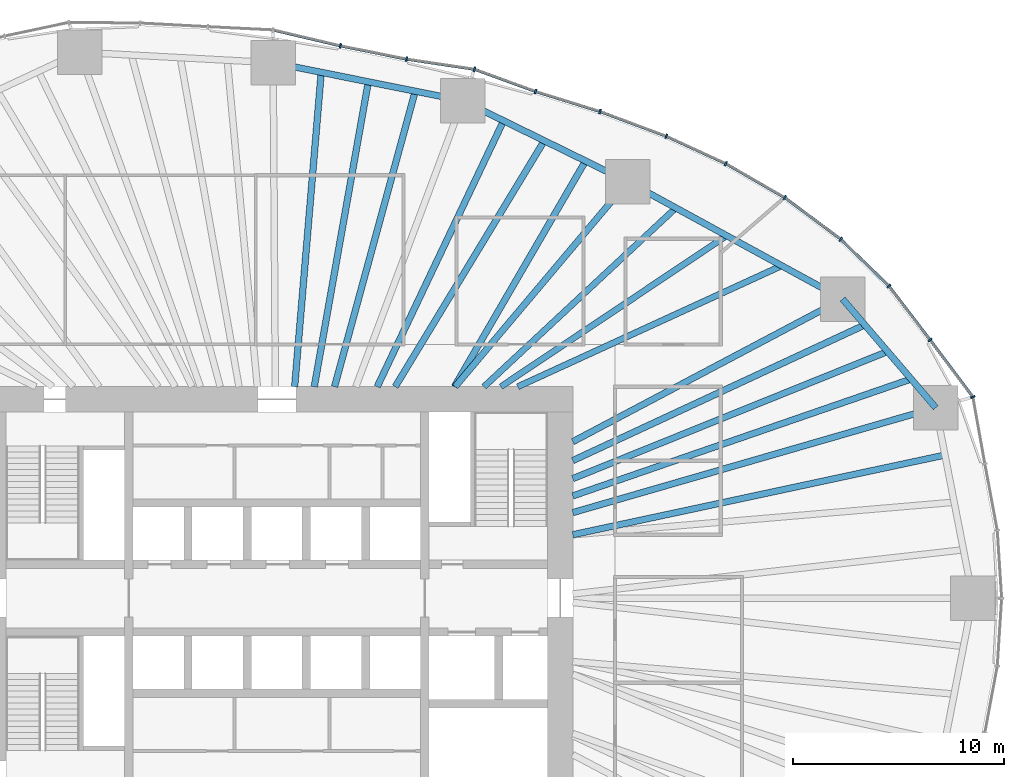
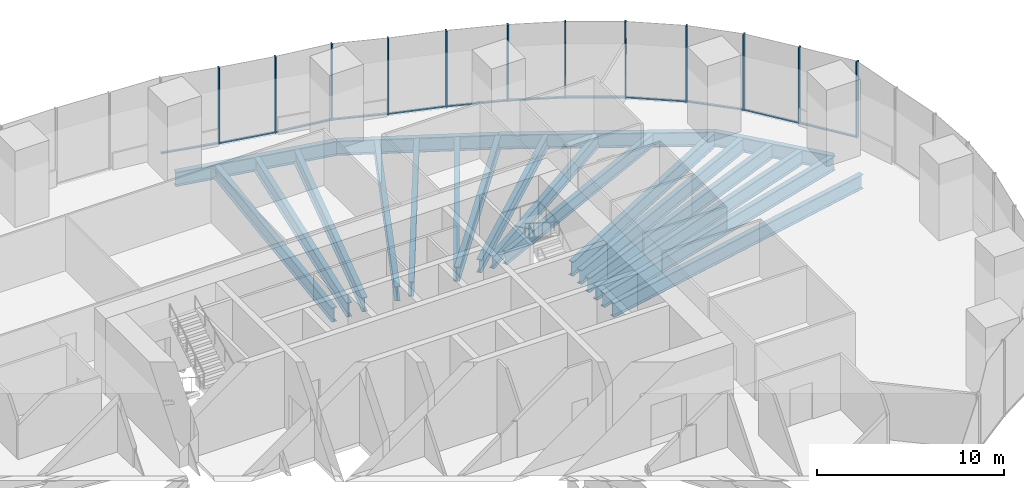
# One storey, part 6 of 20: 24 members, 20 beams, 4 elements without a shape of their own.
"""IFC4 building model written with IfcOpenShell, lengths in metres."""

from ifc_helpers import new_model, si_unit, direction, frame, origin, origin_2d, place, context, subcontext, project, spatial, rectangle, i_section, extrude, material, material_profile, profile_set, type_object, element, aggregate, save


model = new_model("IFC4")

# Units and contexts
model_context = context("Model", 3, precision=1e-05, world=origin(), true_north=direction((0.0, 1.0)))
body_context = subcontext(model_context, "Body", "Model", "MODEL_VIEW")
ifc_project = project(units=[si_unit("LENGTHUNIT", "METRE"), si_unit("AREAUNIT", "SQUARE_METRE"), si_unit("VOLUMEUNIT", "CUBIC_METRE"), si_unit("PLANEANGLEUNIT", "RADIAN"), si_unit("MASSUNIT", "GRAM", prefix="KILO")], contexts=[model_context])

# Site, building, storey
site_placement = place(None, origin())
site = spatial("IfcSite", under=ifc_project, at=site_placement, CompositionType="ELEMENT")
building_placement = place(site_placement, origin())
building = spatial("IfcBuilding", under=site, at=building_placement, Name="Ghaith Harvest Tower", CompositionType="ELEMENT")
storey_placement = place(building_placement, frame((0.0, 0.0, 25.0)))
storey = spatial("IfcBuildingStorey", under=building, at=storey_placement, Name="L05", CompositionType="ELEMENT", Elevation=25.0)

# Curtain wall, members
ifc_material_1 = material(Name="Black anodised aluminium and fritted glass", Category="aluminium")
curtain_wall_type = type_object("IfcCurtainWallType", Name="CW-F CURTAIN WALL", PredefinedType="NOTDEFINED", material=ifc_material_1)
curtain_wall_1_placement = place(storey_placement, origin())
curtain_wall_1 = element("IfcCurtainWall", 1, at=curtain_wall_1_placement, inside=storey, type_object=curtain_wall_type, Name="Curtain wall CW-F bay 02 L05", PredefinedType="NOTDEFINED")
ifc_material_2 = material(Name="Aluminium, black anodised", Category="aluminium")
ifc_material_profile_1 = material_profile(ifc_material_2, rectangle(XDim=0.080078125, YDim=0.219970703125, at=origin_2d()), Name="CW-F MULLION 80x220")
ifc_profile_set_1 = profile_set([ifc_material_profile_1], Name="Aluminium, black anodised")
member_type_1 = type_object("IfcMemberType", Name="CW-F MULLION 80x220", PredefinedType="MULLION", material=ifc_profile_set_1)
member_1_placement = place(storey_placement, frame((32.923583984375, 9.515625, 0.0), z_axis=(0.0, 0.0, 1.0), x_axis=(-0.404701693729, 0.914448762421, 0.0)))
member_1 = element("IfcMember", 2, at=member_1_placement, type_object=member_type_1, Name="CW-F mullion 1 bay 02 L05", PredefinedType="MULLION", context=body_context, shape_type="SweptSolid", body=[
    extrude(rectangle(XDim=0.080078125, YDim=0.219970703125, at=origin_2d()), origin(), (0.0, 0.0, 1.0), 5.0),
])
member_2_placement = place(storey_placement, frame((30.896728515625, 12.215087890625, 0.0), z_axis=(0.0, 0.0, 1.0), x_axis=(-0.603948315345, 0.797023482961, 0.0)))
member_2 = element("IfcMember", 3, at=member_2_placement, type_object=member_type_1, Name="CW-F mullion 2 bay 02 L05", PredefinedType="MULLION", context=body_context, shape_type="SweptSolid", body=[
    extrude(rectangle(XDim=0.080078125, YDim=0.219970703125, at=origin_2d()), origin(), (0.0, 0.0, 1.0), 5.0),
])
member_3_placement = place(storey_placement, frame((28.947021484375, 14.763427734375, 0.0), z_axis=(0.0, 0.0, 1.0), x_axis=(-0.663604797296, 0.748083332929, 0.0)))
member_3 = element("IfcMember", 4, at=member_3_placement, type_object=member_type_1, Name="CW-F mullion 3 bay 02 L05", PredefinedType="MULLION", context=body_context, shape_type="SweptSolid", body=[
    extrude(rectangle(XDim=0.080078125, YDim=0.219970703125, at=origin_2d()), origin(), (0.0, 0.0, 1.0), 5.0),
])

curtain_wall_2_placement = place(storey_placement, origin())
curtain_wall_2 = element("IfcCurtainWall", 5, at=curtain_wall_2_placement, inside=storey, type_object=curtain_wall_type, Name="Curtain wall CW-F bay 03 L05", PredefinedType="NOTDEFINED")
member_4_placement = place(storey_placement, frame((26.673828125, 16.9755859375, 0.0), z_axis=(0.0, 0.0, 1.0), x_axis=(-0.762365981091, 0.647146127915, 0.0)))
member_4 = element("IfcMember", 6, at=member_4_placement, type_object=member_type_1, Name="CW-F mullion 1 bay 03 L05", PredefinedType="MULLION", context=body_context, shape_type="SweptSolid", body=[
    extrude(rectangle(XDim=0.080078125, YDim=0.219970703125, at=origin_2d()), origin(), (0.0, 0.0, 1.0), 5.0),
])
member_5_placement = place(storey_placement, frame((24.018310546875, 18.947265625, 0.0), z_axis=(0.0, 0.0, 1.0), x_axis=(-0.835443516723, 0.549576318963, 0.0)))
member_5 = element("IfcMember", 7, at=member_5_placement, type_object=member_type_1, Name="CW-F mullion 2 bay 03 L05", PredefinedType="MULLION", context=body_context, shape_type="SweptSolid", body=[
    extrude(rectangle(XDim=0.080078125, YDim=0.219970703125, at=origin_2d()), origin(), (0.0, 0.0, 1.0), 5.0),
])
member_6_placement = place(storey_placement, frame((21.2353515625, 20.552978515625, 0.0), z_axis=(0.0, 0.0, 1.0), x_axis=(-0.887896671642, 0.460042933308, 0.0)))
member_6 = element("IfcMember", 8, at=member_6_placement, type_object=member_type_1, Name="CW-F mullion 3 bay 03 L05", PredefinedType="MULLION", context=body_context, shape_type="SweptSolid", body=[
    extrude(rectangle(XDim=0.080078125, YDim=0.219970703125, at=origin_2d()), origin(), (0.0, 0.0, 1.0), 5.0),
])

curtain_wall_3_placement = place(storey_placement, origin())
curtain_wall_3 = element("IfcCurtainWall", 9, at=curtain_wall_3_placement, inside=storey, type_object=curtain_wall_type, Name="Curtain wall CW-F bay 04 L05", PredefinedType="NOTDEFINED")
member_7_placement = place(storey_placement, frame((18.422607421875, 21.8466796875, 0.0), z_axis=(0.0, 0.0, 1.0), x_axis=(-0.923910199252, 0.382609387912, 0.0)))
member_7 = element("IfcMember", 10, at=member_7_placement, type_object=member_type_1, Name="CW-F mullion 1 bay 04 L05", PredefinedType="MULLION", context=body_context, shape_type="SweptSolid", body=[
    extrude(rectangle(XDim=0.080078125, YDim=0.219970703125, at=origin_2d()), origin(), (0.0, 0.0, 1.0), 5.0),
])
member_8_placement = place(storey_placement, frame((15.28759765625, 23.01611328125, 0.0), z_axis=(0.0, 0.0, 1.0), x_axis=(-0.946121020954, 0.323813238933, 0.0)))
member_8 = element("IfcMember", 11, at=member_8_placement, type_object=member_type_1, Name="CW-F mullion 2 bay 04 L05", PredefinedType="MULLION", context=body_context, shape_type="SweptSolid", body=[
    extrude(rectangle(XDim=0.080078125, YDim=0.219970703125, at=origin_2d()), origin(), (0.0, 0.0, 1.0), 5.0),
])
member_9_placement = place(storey_placement, frame((12.234375, 23.964599609375, 0.0), z_axis=(0.0, 0.0, 1.0), x_axis=(-0.947653438436, 0.319300736957, 0.0)))
member_9 = element("IfcMember", 12, at=member_9_placement, type_object=member_type_1, Name="CW-F mullion 3 bay 04 L05", PredefinedType="MULLION", context=body_context, shape_type="SweptSolid", body=[
    extrude(rectangle(XDim=0.080078125, YDim=0.219970703125, at=origin_2d()), origin(), (0.0, 0.0, 1.0), 5.0),
])

curtain_wall_4_placement = place(storey_placement, origin())
curtain_wall_4 = element("IfcCurtainWall", 13, at=curtain_wall_4_placement, inside=storey, type_object=curtain_wall_type, Name="Curtain wall CW-F bay 05 L05", PredefinedType="NOTDEFINED")
member_10_placement = place(storey_placement, frame((9.351806640625, 25.01611328125, 0.0), z_axis=(0.0, 0.0, 1.0), x_axis=(-0.969903429236, 0.243489913461, 0.0)))
member_10 = element("IfcMember", 14, at=member_10_placement, type_object=member_type_1, Name="CW-F mullion 1 bay 05 L05", PredefinedType="MULLION", context=body_context, shape_type="SweptSolid", body=[
    extrude(rectangle(XDim=0.080078125, YDim=0.219970703125, at=origin_2d()), origin(), (0.0, 0.0, 1.0), 5.0),
])
member_11_placement = place(storey_placement, frame((6.136962890625, 25.495361328125, 0.0), z_axis=(0.0, 0.0, 1.0), x_axis=(-0.985103843977, 0.171960508788, 0.0)))
member_11 = element("IfcMember", 15, at=member_11_placement, type_object=member_type_1, Name="CW-F mullion 2 bay 05 L05", PredefinedType="MULLION", context=body_context, shape_type="SweptSolid", body=[
    extrude(rectangle(XDim=0.080078125, YDim=0.219970703125, at=origin_2d()), origin(), (0.0, 0.0, 1.0), 5.0),
])
member_12_placement = place(storey_placement, frame((3.00927734375, 26.123291015625, 0.0), z_axis=(0.0, 0.0, 1.0), x_axis=(-0.976927332869, 0.213571969822, 0.0)))
member_12 = element("IfcMember", 16, at=member_12_placement, type_object=member_type_1, Name="CW-F mullion 3 bay 05 L05", PredefinedType="MULLION", context=body_context, shape_type="SweptSolid", body=[
    extrude(rectangle(XDim=0.080078125, YDim=0.219970703125, at=origin_2d()), origin(), (0.0, 0.0, 1.0), 5.0),
])

# Member
ifc_material_3 = material(Name="Aluminium, black anodised", Category="aluminium")
ifc_material_profile_2 = material_profile(ifc_material_3, rectangle(XDim=0.139892578125, YDim=0.080078125, at=origin_2d()), Name="CW-F TRANSOM 140x80")
ifc_profile_set_2 = profile_set([ifc_material_profile_2], Name="Aluminium, black anodised")
member_type_2 = type_object("IfcMemberType", Name="CW-F TRANSOM 140x80", PredefinedType="USERDEFINED", material=ifc_profile_set_2)
member_13_placement = place(storey_placement, frame((32.899658203125, 9.547607421875, 0.0400390625), z_axis=(-0.600462135687, 0.799653189581, 0.0), x_axis=(-0.799653189581, -0.600462135687, 0.0)))
member_13 = element("IfcMember", 17, at=member_13_placement, type_object=member_type_2, Name="CW-F transom 1 bay 02 L05", ObjectType="TRANSOM", PredefinedType="USERDEFINED", context=body_context, shape_type="SweptSolid", body=[
    extrude(rectangle(XDim=0.139892578125, YDim=0.080078125, at=origin_2d()), origin(), (0.0, 0.0, 1.0), 3.2958984375),
])

member_14_placement = place(storey_placement, frame((30.87255859375, 12.246826171875, 0.0400390625), z_axis=(-0.607638356471, 0.794213842579, 0.0), x_axis=(-0.794213842579, -0.607638356471, 0.0)))
member_14 = element("IfcMember", 18, at=member_14_placement, type_object=member_type_2, Name="CW-F transom 2 bay 02 L05", ObjectType="TRANSOM", PredefinedType="USERDEFINED", context=body_context, shape_type="SweptSolid", body=[
    extrude(rectangle(XDim=0.139892578125, YDim=0.080078125, at=origin_2d()), origin(), (0.0, 0.0, 1.0), 3.128662109375),
])

member_15_placement = place(storey_placement, frame((28.91845703125, 14.791259765625, 0.0400390625), z_axis=(-0.71671313139, 0.697368114623, 0.0), x_axis=(-0.697368114623, -0.71671313139, 0.0)))
member_15 = element("IfcMember", 19, at=member_15_placement, type_object=member_type_2, Name="CW-F transom 3 bay 02 L05", ObjectType="TRANSOM", PredefinedType="USERDEFINED", context=body_context, shape_type="SweptSolid", body=[
    extrude(rectangle(XDim=0.139892578125, YDim=0.080078125, at=origin_2d()), origin(), (0.0, 0.0, 1.0), 3.092041015625),
])

aggregate(curtain_wall_1, [member_1, member_13, member_2, member_14, member_3, member_15])

member_16_placement = place(storey_placement, frame((26.641845703125, 16.999267578125, 0.0400390625), z_axis=(-0.802877287823, 0.596144328748, 0.0), x_axis=(-0.596144328748, -0.802877287823, 0.0)))
member_16 = element("IfcMember", 20, at=member_16_placement, type_object=member_type_2, Name="CW-F transom 1 bay 03 L05", ObjectType="TRANSOM", PredefinedType="USERDEFINED", context=body_context, shape_type="SweptSolid", body=[
    extrude(rectangle(XDim=0.139892578125, YDim=0.080078125, at=origin_2d()), origin(), (0.0, 0.0, 1.0), 3.2275390625),
])

member_17_placement = place(storey_placement, frame((23.983642578125, 18.96728515625, 0.0400390625), z_axis=(-0.866168719914, 0.499751686983, 0.0), x_axis=(-0.499751686983, -0.866168719914, 0.0)))
member_17 = element("IfcMember", 21, at=member_17_placement, type_object=member_type_2, Name="CW-F transom 2 bay 03 L05", ObjectType="TRANSOM", PredefinedType="USERDEFINED", context=body_context, shape_type="SweptSolid", body=[
    extrude(rectangle(XDim=0.139892578125, YDim=0.080078125, at=origin_2d()), origin(), (0.0, 0.0, 1.0), 3.1328125),
])

member_18_placement = place(storey_placement, frame((21.19921875, 20.56982421875, 0.0400390625), z_axis=(-0.908553137239, 0.417769310521, 0.0), x_axis=(-0.417769310521, -0.908553137239, 0.0)))
member_18 = element("IfcMember", 22, at=member_18_placement, type_object=member_type_2, Name="CW-F transom 3 bay 03 L05", ObjectType="TRANSOM", PredefinedType="USERDEFINED", context=body_context, shape_type="SweptSolid", body=[
    extrude(rectangle(XDim=0.139892578125, YDim=0.080078125, at=origin_2d()), origin(), (0.0, 0.0, 1.0), 3.01611328125),
])

aggregate(curtain_wall_2, [member_4, member_16, member_5, member_17, member_6, member_18])

member_19_placement = place(storey_placement, frame((18.385009765625, 21.860595703125, 0.0400390625), z_axis=(-0.936923785579, 0.349533717996, 0.0), x_axis=(-0.349533717996, -0.936923785579, 0.0)))
member_19 = element("IfcMember", 23, at=member_19_placement, type_object=member_type_2, Name="CW-F transom 1 bay 04 L05", ObjectType="TRANSOM", PredefinedType="USERDEFINED", context=body_context, shape_type="SweptSolid", body=[
    extrude(rectangle(XDim=0.139892578125, YDim=0.080078125, at=origin_2d()), origin(), (0.0, 0.0, 1.0), 3.26611328125),
])

member_20_placement = place(storey_placement, frame((15.249267578125, 23.028076171875, 0.0400390625), z_axis=(-0.954998362353, 0.296611071781, 0.0), x_axis=(-0.296611071781, -0.954998362353, 0.0)))
member_20 = element("IfcMember", 24, at=member_20_placement, type_object=member_type_2, Name="CW-F transom 2 bay 04 L05", ObjectType="TRANSOM", PredefinedType="USERDEFINED", context=body_context, shape_type="SweptSolid", body=[
    extrude(rectangle(XDim=0.139892578125, YDim=0.080078125, at=origin_2d()), origin(), (0.0, 0.0, 1.0), 3.1171875),
])

member_21_placement = place(storey_placement, frame((12.19677734375, 23.978271484375, 0.0400390625), z_axis=(-0.939437502081, 0.342720264478, 0.0), x_axis=(-0.342720264478, -0.939437502081, 0.0)))
member_21 = element("IfcMember", 25, at=member_21_placement, type_object=member_type_2, Name="CW-F transom 3 bay 04 L05", ObjectType="TRANSOM", PredefinedType="USERDEFINED", context=body_context, shape_type="SweptSolid", body=[
    extrude(rectangle(XDim=0.139892578125, YDim=0.080078125, at=origin_2d()), origin(), (0.0, 0.0, 1.0), 2.98828125),
])

aggregate(curtain_wall_3, [member_7, member_19, member_8, member_20, member_9, member_21])

member_22_placement = place(storey_placement, frame((9.312255859375, 25.02197265625, 0.0400390625), z_axis=(-0.989078238205, 0.147391447207, 0.0), x_axis=(-0.147391447207, -0.989078238205, 0.0)))
member_22 = element("IfcMember", 26, at=member_22_placement, type_object=member_type_2, Name="CW-F transom 1 bay 05 L05", ObjectType="TRANSOM", PredefinedType="USERDEFINED", context=body_context, shape_type="SweptSolid", body=[
    extrude(rectangle(XDim=0.139892578125, YDim=0.080078125, at=origin_2d()), origin(), (0.0, 0.0, 1.0), 3.17041015625),
])

member_23_placement = place(storey_placement, frame((6.097900390625, 25.503173828125, 0.0400390625), z_axis=(-0.980432471193, 0.196855707129, 0.0), x_axis=(-0.196855707129, -0.980432471193, 0.0)))
member_23 = element("IfcMember", 27, at=member_23_placement, type_object=member_type_2, Name="CW-F transom 2 bay 05 L05", ObjectType="TRANSOM", PredefinedType="USERDEFINED", context=body_context, shape_type="SweptSolid", body=[
    extrude(rectangle(XDim=0.139892578125, YDim=0.080078125, at=origin_2d()), origin(), (0.0, 0.0, 1.0), 3.1103515625),
])

member_24_placement = place(storey_placement, frame((2.97021484375, 26.132568359375, 0.0400390625), z_axis=(-0.973252867589, 0.229736491942, 0.0), x_axis=(-0.229736491942, -0.973252867589, 0.0)))
member_24 = element("IfcMember", 28, at=member_24_placement, type_object=member_type_2, Name="CW-F transom 3 bay 05 L05", ObjectType="TRANSOM", PredefinedType="USERDEFINED", context=body_context, shape_type="SweptSolid", body=[
    extrude(rectangle(XDim=0.139892578125, YDim=0.080078125, at=origin_2d()), origin(), (0.0, 0.0, 1.0), 3.200927734375),
])

aggregate(curtain_wall_4, [member_10, member_22, member_11, member_23, member_12, member_24])

# Beams
ifc_material_4 = material(Name="Steel ASTM A992 Grade 50", Category="steel")
ifc_material_profile_3 = material_profile(ifc_material_4, i_section(OverallWidth=0.306884765625, OverallDepth=0.94189453125, WebThickness=0.022216796875, FlangeThickness=0.039794921875, at=origin_2d()), Name="W920X345")
ifc_profile_set_3 = profile_set([ifc_material_profile_3], Name="Steel ASTM A992 Grade 50")
beam_type_1 = type_object("IfcBeamType", Name="E920-345 W920X345", PredefinedType="SPANDREL", material=ifc_profile_set_3)
beam_1_placement = place(storey_placement, frame((31.166015625, 9.008056640625, -0.6708984375), z_axis=(-0.65056255283, 0.759452674533, 0.0), x_axis=(-0.759452674533, -0.65056255283, 0.0)))
element("IfcBeam", 29, at=beam_1_placement, inside=storey, type_object=beam_type_1, Name="Edge beam E02 L05", PredefinedType="SPANDREL", context=body_context, shape_type="SweptSolid", body=[
    extrude(i_section(OverallWidth=0.306884765625, OverallDepth=0.94189453125, WebThickness=0.022216796875, FlangeThickness=0.039794921875, at=origin_2d()), origin(), (0.0, 0.0, 1.0), 6.7666015625),
])
beam_2_placement = place(storey_placement, frame((26.763916015625, 14.14697265625, -0.6708984375), z_axis=(-0.877588218279, 0.479415184509, 0.0), x_axis=(-0.479415184509, -0.877588218279, 0.0)))
element("IfcBeam", 30, at=beam_2_placement, inside=storey, type_object=beam_type_1, Name="Edge beam E03 L05", PredefinedType="SPANDREL", context=body_context, shape_type="SweptSolid", body=[
    extrude(i_section(OverallWidth=0.306884765625, OverallDepth=0.94189453125, WebThickness=0.022216796875, FlangeThickness=0.039794921875, at=origin_2d()), origin(), (0.0, 0.0, 1.0), 11.57275390625),
])
beam_3_placement = place(storey_placement, frame((16.60791015625, 19.695068359375, -0.6708984375), z_axis=(-0.897823733825, 0.440355019252, 0.0), x_axis=(-0.440355019252, -0.897823733825, 0.0)))
element("IfcBeam", 31, at=beam_3_placement, inside=storey, type_object=beam_type_1, Name="Edge beam E04 L05", PredefinedType="SPANDREL", context=body_context, shape_type="SweptSolid", body=[
    extrude(i_section(OverallWidth=0.306884765625, OverallDepth=0.94189453125, WebThickness=0.022216796875, FlangeThickness=0.039794921875, at=origin_2d()), origin(), (0.0, 0.0, 1.0), 8.7021484375),
])
beam_4_placement = place(storey_placement, frame((8.794921875, 23.527099609375, -0.6708984375), z_axis=(-0.980450082464, 0.196767974517, 0.0), x_axis=(-0.196767974517, -0.980450082464, 0.0)))
element("IfcBeam", 32, at=beam_4_placement, inside=storey, type_object=beam_type_1, Name="Edge beam E05 L05", PredefinedType="SPANDREL", context=body_context, shape_type="SweptSolid", body=[
    extrude(i_section(OverallWidth=0.306884765625, OverallDepth=0.94189453125, WebThickness=0.022216796875, FlangeThickness=0.039794921875, at=origin_2d()), origin(), (0.0, 0.0, 1.0), 9.146728515625),
])
ifc_material_5 = material(Name="Steel ASTM A992 Grade 50", Category="steel")
ifc_material_profile_4 = material_profile(ifc_material_5, i_section(OverallWidth=0.306884765625, OverallDepth=0.94189453125, WebThickness=0.022216796875, FlangeThickness=0.039794921875, at=origin_2d()), Name="W920X345")
ifc_profile_set_4 = profile_set([ifc_material_profile_4], Name="Steel ASTM A992 Grade 50")
beam_type_2 = type_object("IfcBeamType", Name="G920-345 W920X345", PredefinedType="BEAM", material=ifc_profile_set_4)
beam_5_placement = place(storey_placement, frame((14.0, 4.04638671875, -0.6708984375), z_axis=(0.960675395102, 0.277673882903, 0.0), x_axis=(-0.277673882903, 0.960675395102, 0.0)))
element("IfcBeam", 33, at=beam_5_placement, inside=storey, type_object=beam_type_2, Name="Radial girder G02 L05", PredefinedType="BEAM", context=body_context, shape_type="SweptSolid", body=[
    extrude(i_section(OverallWidth=0.306884765625, OverallDepth=0.94189453125, WebThickness=0.022216796875, FlangeThickness=0.039794921875, at=origin_2d()), origin(), (0.0, 0.0, 1.0), 17.86865234375),
])
beam_6_placement = place(storey_placement, frame((14.0, 7.39990234375, -0.6708984375), z_axis=(0.884082663971, 0.467330550324, 0.0), x_axis=(-0.467330550324, 0.884082663971, 0.0)))
element("IfcBeam", 34, at=beam_6_placement, inside=storey, type_object=beam_type_2, Name="Radial girder G03 L05", PredefinedType="BEAM", context=body_context, shape_type="SweptSolid", body=[
    extrude(i_section(OverallWidth=0.306884765625, OverallDepth=0.94189453125, WebThickness=0.022216796875, FlangeThickness=0.039794921875, at=origin_2d()), origin(), (0.0, 0.0, 1.0), 14.4375),
])
beam_7_placement = place(storey_placement, frame((8.4326171875, 10.0, -0.6708984375), z_axis=(0.644644245772, 0.764482698557, 0.0), x_axis=(-0.764482698557, 0.644644245772, 0.0)))
element("IfcBeam", 35, at=beam_7_placement, inside=storey, type_object=beam_type_2, Name="Radial girder G04 L05", PredefinedType="BEAM", context=body_context, shape_type="SweptSolid", body=[
    extrude(i_section(OverallWidth=0.306884765625, OverallDepth=0.94189453125, WebThickness=0.022216796875, FlangeThickness=0.039794921875, at=origin_2d()), origin(), (0.0, 0.0, 1.0), 12.681884765625),
])
ifc_material_6 = material(Name="Steel ASTM A992 Grade 50", Category="steel")
ifc_material_profile_5 = material_profile(ifc_material_6, i_section(OverallWidth=0.2939453125, OverallDepth=0.85107421875, WebThickness=0.01611328125, FlangeThickness=0.02685546875, at=origin_2d()), Name="W840X226")
ifc_profile_set_5 = profile_set([ifc_material_profile_5], Name="Steel ASTM A992 Grade 50")
beam_type_3 = type_object("IfcBeamType", Name="J840-226 W840X226", PredefinedType="JOIST", material=ifc_profile_set_5)
beam_8_placement = place(storey_placement, frame((11.39990234375, 10.0, -0.62548828125), z_axis=(0.909014022454, 0.416765529983, 0.0), x_axis=(-0.416765529983, 0.909014022454, 0.0)))
element("IfcBeam", 36, at=beam_8_placement, inside=storey, type_object=beam_type_3, Name="Joist J03.1 L05", PredefinedType="JOIST", context=body_context, shape_type="SweptSolid", body=[
    extrude(i_section(OverallWidth=0.2939453125, OverallDepth=0.85107421875, WebThickness=0.01611328125, FlangeThickness=0.02685546875, at=origin_2d()), origin(), (0.0, 0.0, 1.0), 13.72998046875),
])
beam_9_placement = place(storey_placement, frame((10.60009765625, 10.0, -0.62548828125), z_axis=(0.831116486766, 0.556098359489, 0.0), x_axis=(-0.556098359489, 0.831116486766, 0.0)))
element("IfcBeam", 37, at=beam_9_placement, inside=storey, type_object=beam_type_3, Name="Joist J03.2 L05", PredefinedType="JOIST", context=body_context, shape_type="SweptSolid", body=[
    extrude(i_section(OverallWidth=0.2939453125, OverallDepth=0.85107421875, WebThickness=0.01611328125, FlangeThickness=0.02685546875, at=origin_2d()), origin(), (0.0, 0.0, 1.0), 12.84716796875),
])
beam_10_placement = place(storey_placement, frame((9.800048828125, 10.0, -0.62548828125), z_axis=(0.731538123562, 0.681800538116, 0.0), x_axis=(-0.681800538116, 0.731538123562, 0.0)))
element("IfcBeam", 38, at=beam_10_placement, inside=storey, type_object=beam_type_3, Name="Joist J03.3 L05", PredefinedType="JOIST", context=body_context, shape_type="SweptSolid", body=[
    extrude(i_section(OverallWidth=0.2939453125, OverallDepth=0.85107421875, WebThickness=0.01611328125, FlangeThickness=0.02685546875, at=origin_2d()), origin(), (0.0, 0.0, 1.0), 12.404052734375),
])
ifc_material_7 = material(Name="Steel ASTM A992 Grade 50", Category="steel")
ifc_material_profile_6 = material_profile(ifc_material_7, i_section(OverallWidth=0.31005859375, OverallDepth=0.927001953125, WebThickness=0.019287109375, FlangeThickness=0.031982421875, at=origin_2d()), Name="W920X289")
ifc_profile_set_6 = profile_set([ifc_material_profile_6], Name="Steel ASTM A992 Grade 50")
beam_type_4 = type_object("IfcBeamType", Name="J920-289 W920X289", PredefinedType="JOIST", material=ifc_profile_set_6)
beam_11_placement = place(storey_placement, frame((14.0, 6.506103515625, -0.66357421875), z_axis=(0.906862619792, 0.421426374144, 0.0), x_axis=(-0.421426374144, 0.906862619792, 0.0)))
element("IfcBeam", 39, at=beam_11_placement, inside=storey, type_object=beam_type_4, Name="Joist J02.3 L05", PredefinedType="JOIST", context=body_context, shape_type="SweptSolid", body=[
    extrude(i_section(OverallWidth=0.31005859375, OverallDepth=0.927001953125, WebThickness=0.019287109375, FlangeThickness=0.031982421875, at=origin_2d()), origin(), (0.0, 0.0, 1.0), 15.229736328125),
])
beam_12_placement = place(storey_placement, frame((8.39990234375, 10.0, -0.66357421875), z_axis=(0.50228574324, 0.864701701246, 0.0), x_axis=(-0.864701701246, 0.50228574324, 0.0)))
element("IfcBeam", 40, at=beam_12_placement, inside=storey, type_object=beam_type_4, Name="Joist J04.1 L05", PredefinedType="JOIST", context=body_context, shape_type="SweptSolid", body=[
    extrude(i_section(OverallWidth=0.31005859375, OverallDepth=0.927001953125, WebThickness=0.019287109375, FlangeThickness=0.031982421875, at=origin_2d()), origin(), (0.0, 0.0, 1.0), 12.349365234375),
])
beam_13_placement = place(storey_placement, frame((5.60009765625, 10.0, -0.66357421875), z_axis=(0.518319612023, 0.85518698528, 0.0), x_axis=(-0.85518698528, 0.518319612023, 0.0)))
element("IfcBeam", 41, at=beam_13_placement, inside=storey, type_object=beam_type_4, Name="Joist J04.2 L05", PredefinedType="JOIST", context=body_context, shape_type="SweptSolid", body=[
    extrude(i_section(OverallWidth=0.31005859375, OverallDepth=0.927001953125, WebThickness=0.019287109375, FlangeThickness=0.031982421875, at=origin_2d()), origin(), (0.0, 0.0, 1.0), 13.60546875),
])
beam_14_placement = place(storey_placement, frame((4.75, 10.0, -0.66357421875), z_axis=(0.429059675117, 0.903276145588, 0.0), x_axis=(-0.903276145588, 0.429059675117, 0.0)))
element("IfcBeam", 42, at=beam_14_placement, inside=storey, type_object=beam_type_4, Name="Joist J04.3 L05", PredefinedType="JOIST", context=body_context, shape_type="SweptSolid", body=[
    extrude(i_section(OverallWidth=0.31005859375, OverallDepth=0.927001953125, WebThickness=0.019287109375, FlangeThickness=0.031982421875, at=origin_2d()), origin(), (0.0, 0.0, 1.0), 13.92724609375),
])
beam_15_placement = place(storey_placement, frame((2.73095703125, 10.0, -0.66357421875), z_axis=(0.263455282447, 0.964671609487, 0.0), x_axis=(-0.964671609487, 0.263455282447, 0.0)))
element("IfcBeam", 43, at=beam_15_placement, inside=storey, type_object=beam_type_4, Name="Joist J05.1 L05", PredefinedType="JOIST", context=body_context, shape_type="SweptSolid", body=[
    extrude(i_section(OverallWidth=0.31005859375, OverallDepth=0.927001953125, WebThickness=0.019287109375, FlangeThickness=0.031982421875, at=origin_2d()), origin(), (0.0, 0.0, 1.0), 14.48974609375),
])
beam_16_placement = place(storey_placement, frame((1.772705078125, 10.0, -0.66357421875), z_axis=(0.174552574354, 0.984647855218, 0.0), x_axis=(-0.984647855218, 0.174552574354, 0.0)))
element("IfcBeam", 44, at=beam_16_placement, inside=storey, type_object=beam_type_4, Name="Joist J05.2 L05", PredefinedType="JOIST", context=body_context, shape_type="SweptSolid", body=[
    extrude(i_section(OverallWidth=0.31005859375, OverallDepth=0.927001953125, WebThickness=0.019287109375, FlangeThickness=0.031982421875, at=origin_2d()), origin(), (0.0, 0.0, 1.0), 14.648193359375),
])
beam_17_placement = place(storey_placement, frame((0.844970703125, 10.0, -0.66357421875), z_axis=(0.084219252187, 0.996447247756, 0.0), x_axis=(-0.996447247756, 0.084219252187, 0.0)))
element("IfcBeam", 45, at=beam_17_placement, inside=storey, type_object=beam_type_4, Name="Joist J05.3 L05", PredefinedType="JOIST", context=body_context, shape_type="SweptSolid", body=[
    extrude(i_section(OverallWidth=0.31005859375, OverallDepth=0.927001953125, WebThickness=0.019287109375, FlangeThickness=0.031982421875, at=origin_2d()), origin(), (0.0, 0.0, 1.0), 14.92333984375),
])
ifc_material_8 = material(Name="Steel ASTM A992 Grade 50", Category="steel")
ifc_material_profile_7 = material_profile(ifc_material_8, i_section(OverallWidth=0.306884765625, OverallDepth=0.94189453125, WebThickness=0.022216796875, FlangeThickness=0.039794921875, at=origin_2d()), Name="W920X345")
ifc_profile_set_7 = profile_set([ifc_material_profile_7], Name="Steel ASTM A992 Grade 50")
beam_type_5 = type_object("IfcBeamType", Name="J920-345 W920X345", PredefinedType="JOIST", material=ifc_profile_set_7)
beam_18_placement = place(storey_placement, frame((14.0, 3.0, -0.6708984375), z_axis=(0.977831380626, 0.209393865869, 0.0), x_axis=(-0.209393865869, 0.977831380626, 0.0)))
element("IfcBeam", 46, at=beam_18_placement, inside=storey, type_object=beam_type_5, Name="Joist J01.3 L05", PredefinedType="JOIST", context=body_context, shape_type="SweptSolid", body=[
    extrude(i_section(OverallWidth=0.306884765625, OverallDepth=0.94189453125, WebThickness=0.022216796875, FlangeThickness=0.039794921875, at=origin_2d()), origin(), (0.0, 0.0, 1.0), 18.002197265625),
])
beam_19_placement = place(storey_placement, frame((14.0, 4.835693359375, -0.6708984375), z_axis=(0.945204767809, 0.326478095607, 0.0), x_axis=(-0.326478095607, 0.945204767809, 0.0)))
element("IfcBeam", 47, at=beam_19_placement, inside=storey, type_object=beam_type_5, Name="Joist J02.1 L05", PredefinedType="JOIST", context=body_context, shape_type="SweptSolid", body=[
    extrude(i_section(OverallWidth=0.306884765625, OverallDepth=0.94189453125, WebThickness=0.022216796875, FlangeThickness=0.039794921875, at=origin_2d()), origin(), (0.0, 0.0, 1.0), 16.932373046875),
])
beam_20_placement = place(storey_placement, frame((14.0, 5.653564453125, -0.6708984375), z_axis=(0.927252192145, 0.374437407536, 0.0), x_axis=(-0.374437407536, 0.927252192145, 0.0)))
element("IfcBeam", 48, at=beam_20_placement, inside=storey, type_object=beam_type_5, Name="Joist J02.2 L05", PredefinedType="JOIST", context=body_context, shape_type="SweptSolid", body=[
    extrude(i_section(OverallWidth=0.306884765625, OverallDepth=0.94189453125, WebThickness=0.022216796875, FlangeThickness=0.039794921875, at=origin_2d()), origin(), (0.0, 0.0, 1.0), 16.057373046875),
])

save(model, "model.ifc")
